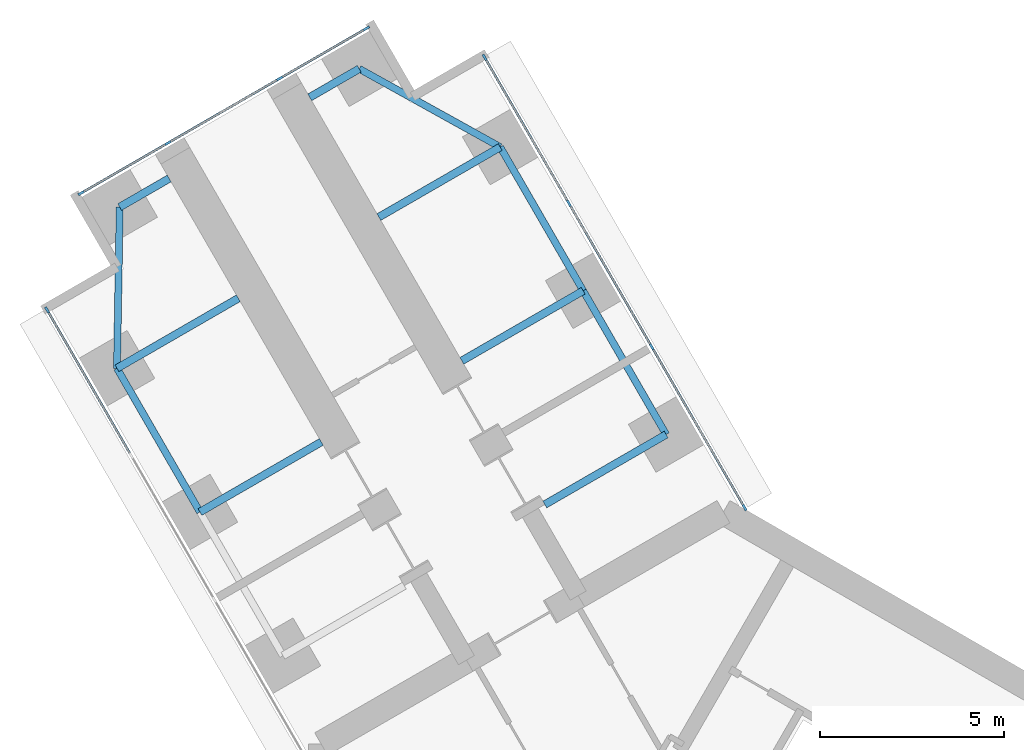
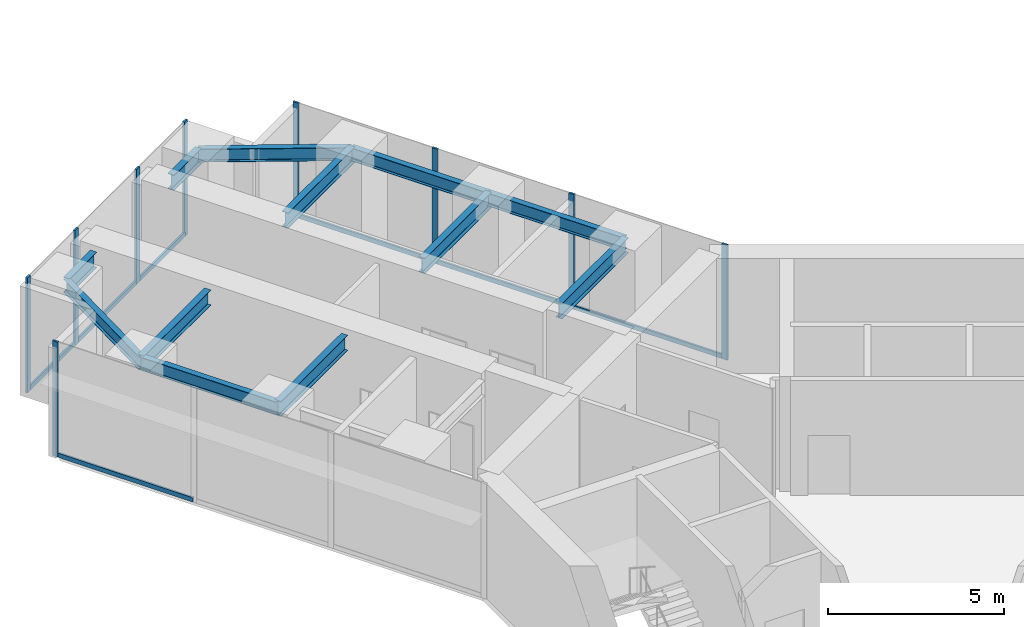
# One storey, part 7 of 23: 16 members, 12 beams, 3 elements without a shape of their own.
"""IFC4 building model written with IfcOpenShell, lengths in metres."""

from ifc_helpers import new_model, si_unit, direction, frame, origin, origin_2d, place, context, subcontext, project, spatial, rectangle, i_section, extrude, material, material_profile, profile_set, type_object, element, aggregate, save


model = new_model("IFC4")

# Units and contexts
model_context = context("Model", 3, precision=1e-05, world=origin(), true_north=direction((0.0, 1.0)))
body_context = subcontext(model_context, "Body", "Model", "MODEL_VIEW")
ifc_project = project(units=[si_unit("LENGTHUNIT", "METRE"), si_unit("AREAUNIT", "SQUARE_METRE"), si_unit("VOLUMEUNIT", "CUBIC_METRE"), si_unit("PLANEANGLEUNIT", "RADIAN"), si_unit("MASSUNIT", "GRAM", prefix="KILO")], contexts=[model_context])

# Site, building, storey
site_placement = place(None, origin())
site = spatial("IfcSite", under=ifc_project, at=site_placement, CompositionType="ELEMENT")
building_placement = place(site_placement, origin())
building = spatial("IfcBuilding", under=site, at=building_placement, Name="Upepo Twin Towers", CompositionType="ELEMENT")
storey_placement = place(building_placement, frame((0.0, 0.0, 32.5)))
storey = spatial("IfcBuildingStorey", under=building, at=storey_placement, Name="L07", CompositionType="ELEMENT", Elevation=32.5)

# Beams
ifc_material_1 = material(Name="Steel S355", Category="steel")
ifc_material_profile_1 = material_profile(ifc_material_1, i_section(OverallWidth=0.1904296875, OverallDepth=0.45703125, WebThickness=0.009033203125, FlangeThickness=0.014404296875, FilletRadius=0.01025390625, at=origin_2d()), Name="UB 457x191x74")
ifc_profile_set_1 = profile_set([ifc_material_profile_1], Name="Steel S355")
beam_type_1 = type_object("IfcBeamType", Name="Beam UB 457x191x74", PredefinedType="BEAM", material=ifc_profile_set_1)
beam_1_placement = place(storey_placement, frame((-14.196044921875, 12.58837890625, 3.571533203125), z_axis=(-0.499990139034, 0.866031096941, 0.0), x_axis=(-0.866031096941, -0.499990139034, 0.0)))
element("IfcBeam", 1, at=beam_1_placement, inside=storey, type_object=beam_type_1, Name="T1 edge beam BL 18.0-22.5", PredefinedType="BEAM", context=body_context, shape_type="SweptSolid", body=[
    extrude(i_section(OverallWidth=0.1904296875, OverallDepth=0.45703125, WebThickness=0.009033203125, FlangeThickness=0.014404296875, FilletRadius=0.01025390625, at=origin_2d()), origin(), (0.0, 0.0, 1.0), 4.5),
])
beam_2_placement = place(storey_placement, frame((-16.446044921875, 16.485595703125, 3.571533203125), z_axis=(0.016803880528, 0.999858804832, 0.0), x_axis=(-0.999858804832, 0.016803880528, 0.0)))
element("IfcBeam", 2, at=beam_2_placement, inside=storey, type_object=beam_type_1, Name="T1 nose edge beam BL", PredefinedType="BEAM", context=body_context, shape_type="SweptSolid", body=[
    extrude(i_section(OverallWidth=0.1904296875, OverallDepth=0.45703125, WebThickness=0.009033203125, FlangeThickness=0.014404296875, FilletRadius=0.01025390625, at=origin_2d()), origin(), (0.0, 0.0, 1.0), 4.373291015625),
])
beam_3_placement = place(storey_placement, frame((-1.553955078125, 14.69140625, 3.571533203125), z_axis=(-0.500013631625, 0.866017533419, 0.0), x_axis=(-0.866017533419, -0.500013631625, 0.0)))
element("IfcBeam", 3, at=beam_3_placement, inside=storey, type_object=beam_type_1, Name="T1 edge beam BR 13.5-18.0", PredefinedType="BEAM", context=body_context, shape_type="SweptSolid", body=[
    extrude(i_section(OverallWidth=0.1904296875, OverallDepth=0.45703125, WebThickness=0.009033203125, FlangeThickness=0.014404296875, FilletRadius=0.01025390625, at=origin_2d()), origin(), (0.0, 0.0, 1.0), 4.499755859375),
])
beam_4_placement = place(storey_placement, frame((-3.803955078125, 18.58837890625, 3.571533203125), z_axis=(-0.499990139034, 0.866031096941, 0.0), x_axis=(-0.866031096941, -0.499990139034, 0.0)))
element("IfcBeam", 4, at=beam_4_placement, inside=storey, type_object=beam_type_1, Name="T1 edge beam BR 18.0-22.5", PredefinedType="BEAM", context=body_context, shape_type="SweptSolid", body=[
    extrude(i_section(OverallWidth=0.1904296875, OverallDepth=0.45703125, WebThickness=0.009033203125, FlangeThickness=0.014404296875, FilletRadius=0.01025390625, at=origin_2d()), origin(), (0.0, 0.0, 1.0), 4.5),
])
beam_5_placement = place(storey_placement, frame((-6.053955078125, 22.485595703125, 3.571533203125), z_axis=(-0.874312600038, 0.485363242752, 0.0), x_axis=(-0.485363242752, -0.874312600038, 0.0)))
element("IfcBeam", 5, at=beam_5_placement, inside=storey, type_object=beam_type_1, Name="T1 nose edge beam BR", PredefinedType="BEAM", context=body_context, shape_type="SweptSolid", body=[
    extrude(i_section(OverallWidth=0.1904296875, OverallDepth=0.45703125, WebThickness=0.009033203125, FlangeThickness=0.014404296875, FilletRadius=0.01025390625, at=origin_2d()), origin(), (0.0, 0.0, 1.0), 4.373046875),
])
ifc_material_2 = material(Name="Steel S355", Category="steel")
ifc_material_profile_2 = material_profile(ifc_material_2, i_section(OverallWidth=0.2099609375, OverallDepth=0.53662109375, WebThickness=0.0107421875, FlangeThickness=0.017333984375, FilletRadius=0.0126953125, at=origin_2d()), Name="UB 533x210x101")
ifc_profile_set_2 = profile_set([ifc_material_profile_2], Name="Steel S355")
beam_type_2 = type_object("IfcBeamType", Name="Beam UB 533x210x101", PredefinedType="BEAM", material=ifc_profile_set_2)
for number, where, z_axis, x_axis, name in (
    (6, (-16.37255859375, 20.858154296875, 3.53173828125), (0.866043940782, 0.499967891604, 0.0), (-0.499967891604, 0.866043940782, 0.0), "T1 nose beam BL"),
    (7, (-9.87744140625, 24.608154296875, 3.53173828125), (-0.866043940782, -0.499967891604, 0.0), (0.499967891604, -0.866043940782, 0.0), "T1 nose beam BR"),
):
    element("IfcBeam", number, at=place(storey_placement, frame(where, z_axis=z_axis, x_axis=x_axis)), inside=storey, type_object=beam_type_2, Name=name, PredefinedType="BEAM", context=body_context, shape_type="SweptSolid", body=[
        extrude(i_section(OverallWidth=0.2099609375, OverallDepth=0.53662109375, WebThickness=0.0107421875, FlangeThickness=0.017333984375, FilletRadius=0.0126953125, at=origin_2d()), origin(), (0.0, 0.0, 1.0), 1.5498046875),
    ])
ifc_material_3 = material(Name="Steel S355", Category="steel")
ifc_material_profile_3 = material_profile(ifc_material_3, i_section(OverallWidth=0.209228515625, OverallDepth=0.533203125, WebThickness=0.010009765625, FlangeThickness=0.015625, FilletRadius=0.0126953125, at=origin_2d()), Name="UB 533x210x92")
ifc_profile_set_3 = profile_set([ifc_material_profile_3], Name="Steel S355")
beam_type_3 = type_object("IfcBeamType", Name="Beam UB 533x210x92", PredefinedType="BEAM", material=ifc_profile_set_3)
beam_6_placement = place(storey_placement, frame((-14.196044921875, 12.58837890625, 3.533447265625), z_axis=(0.866000483506, 0.500043160704, 0.0), x_axis=(-0.500043160704, 0.866000483506, 0.0)))
element("IfcBeam", 8, at=beam_6_placement, inside=storey, type_object=beam_type_3, Name="T1 girder BL at 18.0", PredefinedType="BEAM", context=body_context, shape_type="SweptSolid", body=[
    extrude(i_section(OverallWidth=0.209228515625, OverallDepth=0.533203125, WebThickness=0.010009765625, FlangeThickness=0.015625, FilletRadius=0.0126953125, at=origin_2d()), origin(), (0.0, 0.0, 1.0), 3.800048828125),
])
beam_7_placement = place(storey_placement, frame((-16.446044921875, 16.485595703125, 3.533447265625), z_axis=(0.866028304915, 0.499994975061, 0.0), x_axis=(-0.499994975061, 0.866028304915, 0.0)))
element("IfcBeam", 9, at=beam_7_placement, inside=storey, type_object=beam_type_3, Name="T1 girder BL at 22.5", PredefinedType="BEAM", context=body_context, shape_type="SweptSolid", body=[
    extrude(i_section(OverallWidth=0.209228515625, OverallDepth=0.533203125, WebThickness=0.010009765625, FlangeThickness=0.015625, FilletRadius=0.0126953125, at=origin_2d()), origin(), (0.0, 0.0, 1.0), 3.7998046875),
])
beam_8_placement = place(storey_placement, frame((-1.553955078125, 14.69140625, 3.533447265625), z_axis=(-0.866000483506, -0.500043160704, 0.0), x_axis=(0.500043160704, -0.866000483506, 0.0)))
element("IfcBeam", 10, at=beam_8_placement, inside=storey, type_object=beam_type_3, Name="T1 girder BR at 13.5", PredefinedType="BEAM", context=body_context, shape_type="SweptSolid", body=[
    extrude(i_section(OverallWidth=0.209228515625, OverallDepth=0.533203125, WebThickness=0.010009765625, FlangeThickness=0.015625, FilletRadius=0.0126953125, at=origin_2d()), origin(), (0.0, 0.0, 1.0), 3.800048828125),
])
for number, where, z_axis, x_axis, name in (
    (11, (-3.803955078125, 18.58837890625, 3.533447265625), (-0.866028304915, -0.499994975061, 0.0), (0.499994975061, -0.866028304915, 0.0), "T1 girder BR at 18.0"),
    (12, (-6.053955078125, 22.485595703125, 3.533447265625), (-0.866028304915, -0.499994975061, 0.0), (0.499994975061, -0.866028304915, 0.0), "T1 girder BR at 22.5"),
):
    element("IfcBeam", number, at=place(storey_placement, frame(where, z_axis=z_axis, x_axis=x_axis)), inside=storey, type_object=beam_type_3, Name=name, PredefinedType="BEAM", context=body_context, shape_type="SweptSolid", body=[
        extrude(i_section(OverallWidth=0.209228515625, OverallDepth=0.533203125, WebThickness=0.010009765625, FlangeThickness=0.015625, FilletRadius=0.0126953125, at=origin_2d()), origin(), (0.0, 0.0, 1.0), 3.7998046875),
    ])

# Curtain wall, member
ifc_material_4 = material(Name="Aluminium and fritted glass", Category="aluminium")
curtain_wall_type = type_object("IfcCurtainWallType", Name="Tower curtain wall TW1, fritted glass", PredefinedType="NOTDEFINED", material=ifc_material_4)
curtain_wall_1_placement = place(storey_placement, origin())
curtain_wall_1 = element("IfcCurtainWall", 13, at=curtain_wall_1_placement, inside=storey, type_object=curtain_wall_type, Name="T1 L07 wing B flank L curtain wall", PredefinedType="NOTDEFINED")
ifc_material_5 = material(Name="Aluminium mullion", Category="aluminium")
ifc_material_profile_4 = material_profile(ifc_material_5, rectangle(XDim=0.06494140625, YDim=0.179931640625, at=origin_2d()), Name="MULLION 65x180")
ifc_profile_set_4 = profile_set([ifc_material_profile_4], Name="Aluminium mullion")
member_type_1 = type_object("IfcMemberType", Name="Mullion 65x180 TW1", PredefinedType="MULLION", material=ifc_profile_set_4)
member_1_placement = place(storey_placement, frame((-18.341064453125, 18.067626953125, 0.0), z_axis=(0.0, 0.0, 1.0), x_axis=(-0.866025389682, -0.500000024426, 0.0)))
member_1 = element("IfcMember", 14, at=member_1_placement, type_object=member_type_1, Name="T1 L07 wing B flank L curtain wall mullion 4", PredefinedType="MULLION", context=body_context, shape_type="SweptSolid", body=[
    extrude(rectangle(XDim=0.06494140625, YDim=0.179931640625, at=origin_2d()), origin(), (0.0, 0.0, 1.0), 4.0),
])

# Curtain wall, members
curtain_wall_2_placement = place(storey_placement, origin())
curtain_wall_2 = element("IfcCurtainWall", 15, at=curtain_wall_2_placement, inside=storey, type_object=curtain_wall_type, Name="T1 L07 wing B flank R curtain wall", PredefinedType="NOTDEFINED")
member_2_placement = place(storey_placement, frame((-6.4765625, 24.91748046875, 0.0), z_axis=(0.0, 0.0, 1.0), x_axis=(0.866025389682, 0.500000024426, 0.0)))
member_2 = element("IfcMember", 16, at=member_2_placement, type_object=member_type_1, Name="T1 L07 wing B flank R curtain wall mullion 1", PredefinedType="MULLION", context=body_context, shape_type="SweptSolid", body=[
    extrude(rectangle(XDim=0.06494140625, YDim=0.179931640625, at=origin_2d()), origin(), (0.0, 0.0, 1.0), 4.0),
])
member_3_placement = place(storey_placement, frame((-4.192626953125, 20.9619140625, 0.0), z_axis=(0.0, 0.0, 1.0), x_axis=(0.866025389682, 0.500000024426, 0.0)))
member_3 = element("IfcMember", 17, at=member_3_placement, type_object=member_type_1, Name="T1 L07 wing B flank R curtain wall mullion 2", PredefinedType="MULLION", context=body_context, shape_type="SweptSolid", body=[
    extrude(rectangle(XDim=0.06494140625, YDim=0.179931640625, at=origin_2d()), origin(), (0.0, 0.0, 1.0), 4.0),
])
member_4_placement = place(storey_placement, frame((-1.942626953125, 17.06494140625, 0.0), z_axis=(0.0, 0.0, 1.0), x_axis=(0.866025389682, 0.500000024426, 0.0)))
member_4 = element("IfcMember", 18, at=member_4_placement, type_object=member_type_1, Name="T1 L07 wing B flank R curtain wall mullion 3", PredefinedType="MULLION", context=body_context, shape_type="SweptSolid", body=[
    extrude(rectangle(XDim=0.06494140625, YDim=0.179931640625, at=origin_2d()), origin(), (0.0, 0.0, 1.0), 4.0),
])
member_5_placement = place(storey_placement, frame((0.572509765625, 12.70849609375, 0.0), z_axis=(0.0, 0.0, 1.0), x_axis=(0.866025389682, 0.500000024426, 0.0)))
member_5 = element("IfcMember", 19, at=member_5_placement, type_object=member_type_1, Name="T1 L07 wing B flank R curtain wall mullion 4", PredefinedType="MULLION", context=body_context, shape_type="SweptSolid", body=[
    extrude(rectangle(XDim=0.06494140625, YDim=0.179931640625, at=origin_2d()), origin(), (0.0, 0.0, 1.0), 4.0),
])

curtain_wall_3_placement = place(storey_placement, origin())
curtain_wall_3 = element("IfcCurtainWall", 20, at=curtain_wall_3_placement, inside=storey, type_object=curtain_wall_type, Name="T1 L07 wing B nose curtain wall", PredefinedType="NOTDEFINED")
member_6_placement = place(storey_placement, frame((-9.68115234375, 25.703125, 0.0), z_axis=(0.0, 0.0, 1.0), x_axis=(0.500000030502, -0.866025386174, 0.0)))
member_6 = element("IfcMember", 21, at=member_6_placement, type_object=member_type_1, Name="T1 L07 wing B nose curtain wall mullion 1", PredefinedType="MULLION", context=body_context, shape_type="SweptSolid", body=[
    extrude(rectangle(XDim=0.06494140625, YDim=0.179931640625, at=origin_2d()), origin(), (0.0, 0.0, 1.0), 4.0),
])
member_7_placement = place(storey_placement, frame((-12.034423828125, 24.34423828125, 0.0), z_axis=(0.0, 0.0, 1.0), x_axis=(0.500000030502, -0.866025386174, 0.0)))
member_7 = element("IfcMember", 22, at=member_7_placement, type_object=member_type_1, Name="T1 L07 wing B nose curtain wall mullion 2", PredefinedType="MULLION", context=body_context, shape_type="SweptSolid", body=[
    extrude(rectangle(XDim=0.06494140625, YDim=0.179931640625, at=origin_2d()), origin(), (0.0, 0.0, 1.0), 4.0),
])
member_8_placement = place(storey_placement, frame((-15.0654296875, 22.59423828125, 0.0), z_axis=(0.0, 0.0, 1.0), x_axis=(0.500000030502, -0.866025386174, 0.0)))
member_8 = element("IfcMember", 23, at=member_8_placement, type_object=member_type_1, Name="T1 L07 wing B nose curtain wall mullion 3", PredefinedType="MULLION", context=body_context, shape_type="SweptSolid", body=[
    extrude(rectangle(XDim=0.06494140625, YDim=0.179931640625, at=origin_2d()), origin(), (0.0, 0.0, 1.0), 4.0),
])
member_9_placement = place(storey_placement, frame((-17.4189453125, 21.235595703125, 0.0), z_axis=(0.0, 0.0, 1.0), x_axis=(0.500000030502, -0.866025386174, 0.0)))
member_9 = element("IfcMember", 24, at=member_9_placement, type_object=member_type_1, Name="T1 L07 wing B nose curtain wall mullion 4", PredefinedType="MULLION", context=body_context, shape_type="SweptSolid", body=[
    extrude(rectangle(XDim=0.06494140625, YDim=0.179931640625, at=origin_2d()), origin(), (0.0, 0.0, 1.0), 4.0),
])

# Member
ifc_material_6 = material(Name="Aluminium transom", Category="aluminium")
ifc_material_profile_5 = material_profile(ifc_material_6, rectangle(XDim=0.06494140625, YDim=0.14990234375, at=origin_2d()), Name="TRANSOM 65x150")
ifc_profile_set_5 = profile_set([ifc_material_profile_5], Name="Aluminium transom")
member_type_2 = type_object("IfcMemberType", Name="Transom 65x150 TW1", PredefinedType="USERDEFINED", material=ifc_profile_set_5)
member_10_placement = place(storey_placement, frame((-16.073486328125, 14.14013671875, 0.074951171875), z_axis=(-0.499982167615, 0.866035699072, 0.0), x_axis=(-0.866035699072, -0.499982167615, 0.0)))
member_10 = element("IfcMember", 25, at=member_10_placement, type_object=member_type_2, Name="T1 L07 wing B flank L curtain wall transom 3", ObjectType="TRANSOM", PredefinedType="USERDEFINED", context=body_context, shape_type="SweptSolid", body=[
    extrude(rectangle(XDim=0.06494140625, YDim=0.14990234375, at=origin_2d()), origin(), (0.0, 0.0, 1.0), 4.502685546875),
])

aggregate(curtain_wall_1, [member_1, member_10])

member_11_placement = place(storey_placement, frame((-6.460205078125, 24.889404296875, 0.074951171875), z_axis=(0.500005646842, -0.866022143554, 0.0), x_axis=(0.866022143554, 0.500005646842, 0.0)))
member_11 = element("IfcMember", 26, at=member_11_placement, type_object=member_type_2, Name="T1 L07 wing B flank R curtain wall transom 1", ObjectType="TRANSOM", PredefinedType="USERDEFINED", context=body_context, shape_type="SweptSolid", body=[
    extrude(rectangle(XDim=0.06494140625, YDim=0.14990234375, at=origin_2d()), origin(), (0.0, 0.0, 1.0), 4.50244140625),
])

member_12_placement = place(storey_placement, frame((-4.176513671875, 20.933837890625, 0.074951171875), z_axis=(0.500005184116, -0.866022410713, 0.0), x_axis=(0.866022410713, 0.500005184116, 0.0)))
member_12 = element("IfcMember", 27, at=member_12_placement, type_object=member_type_2, Name="T1 L07 wing B flank R curtain wall transom 2", ObjectType="TRANSOM", PredefinedType="USERDEFINED", context=body_context, shape_type="SweptSolid", body=[
    extrude(rectangle(XDim=0.06494140625, YDim=0.14990234375, at=origin_2d()), origin(), (0.0, 0.0, 1.0), 4.43505859375),
])

member_13_placement = place(storey_placement, frame((-1.926513671875, 17.036865234375, 0.074951171875), z_axis=(0.499983492876, -0.866034933967, 0.0), x_axis=(0.866034933967, 0.499983492876, 0.0)))
member_13 = element("IfcMember", 28, at=member_13_placement, type_object=member_type_2, Name="T1 L07 wing B flank R curtain wall transom 3", ObjectType="TRANSOM", PredefinedType="USERDEFINED", context=body_context, shape_type="SweptSolid", body=[
    extrude(rectangle(XDim=0.06494140625, YDim=0.14990234375, at=origin_2d()), origin(), (0.0, 0.0, 1.0), 4.965576171875),
])

aggregate(curtain_wall_2, [member_2, member_3, member_4, member_5, member_11, member_12, member_13])

member_14_placement = place(storey_placement, frame((-9.709228515625, 25.686767578125, 0.074951171875), z_axis=(-0.866036909293, -0.499980071345, 0.0), x_axis=(0.499980071345, -0.866036909293, 0.0)))
member_14 = element("IfcMember", 29, at=member_14_placement, type_object=member_type_2, Name="T1 L07 wing B nose curtain wall transom 1", ObjectType="TRANSOM", PredefinedType="USERDEFINED", context=body_context, shape_type="SweptSolid", body=[
    extrude(rectangle(XDim=0.06494140625, YDim=0.14990234375, at=origin_2d()), origin(), (0.0, 0.0, 1.0), 2.65234375),
])

member_15_placement = place(storey_placement, frame((-12.0625, 24.328125, 0.074951171875), z_axis=(-0.866025804792, -0.499999305434, 0.0), x_axis=(0.499999305434, -0.866025804792, 0.0)))
member_15 = element("IfcMember", 30, at=member_15_placement, type_object=member_type_2, Name="T1 L07 wing B nose curtain wall transom 2", ObjectType="TRANSOM", PredefinedType="USERDEFINED", context=body_context, shape_type="SweptSolid", body=[
    extrude(rectangle(XDim=0.06494140625, YDim=0.14990234375, at=origin_2d()), origin(), (0.0, 0.0, 1.0), 3.43505859375),
])

member_16_placement = place(storey_placement, frame((-15.09375, 22.578125, 0.074951171875), z_axis=(-0.865997053448, -0.500049101008, 0.0), x_axis=(0.500049101008, -0.865997053448, 0.0)))
member_16 = element("IfcMember", 31, at=member_16_placement, type_object=member_type_2, Name="T1 L07 wing B nose curtain wall transom 3", ObjectType="TRANSOM", PredefinedType="USERDEFINED", context=body_context, shape_type="SweptSolid", body=[
    extrude(rectangle(XDim=0.06494140625, YDim=0.14990234375, at=origin_2d()), origin(), (0.0, 0.0, 1.0), 2.652587890625),
])

aggregate(curtain_wall_3, [member_6, member_7, member_8, member_9, member_14, member_15, member_16])

save(model, "model.ifc")
